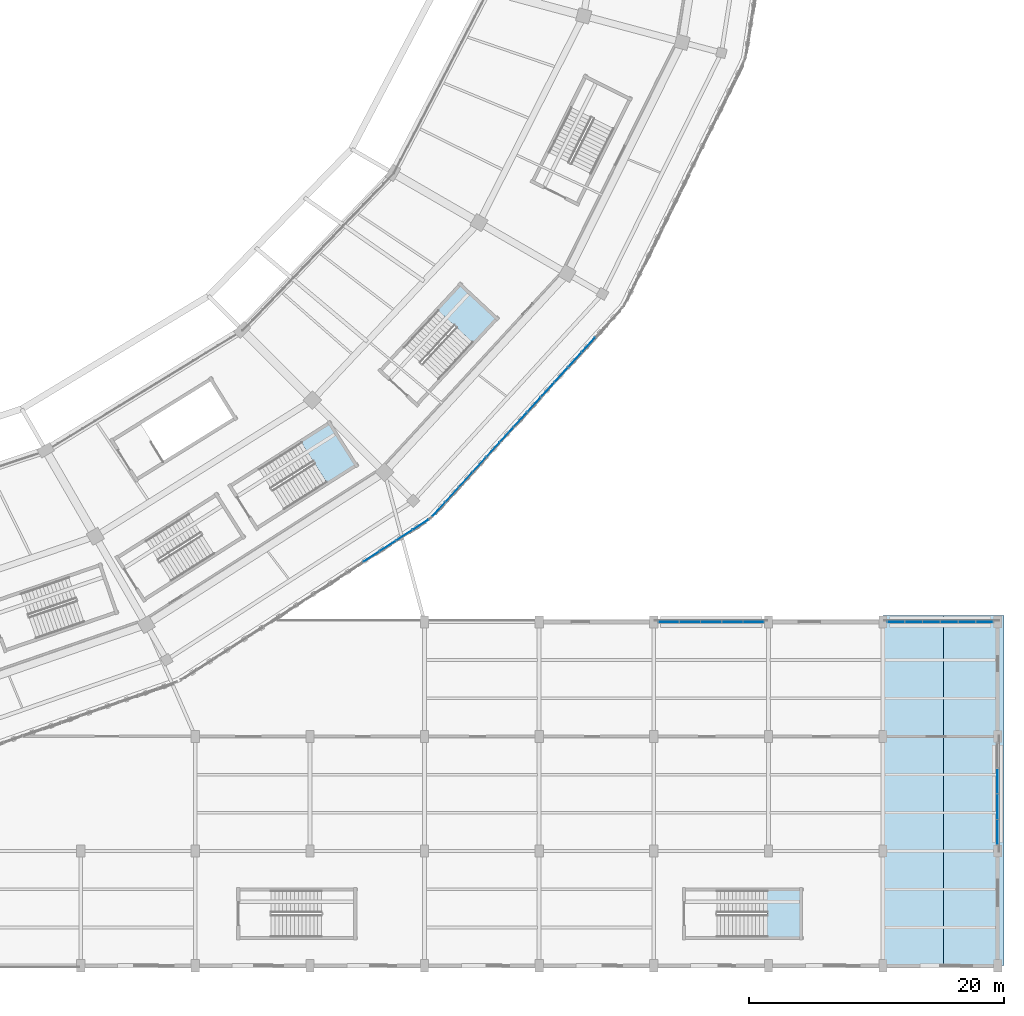
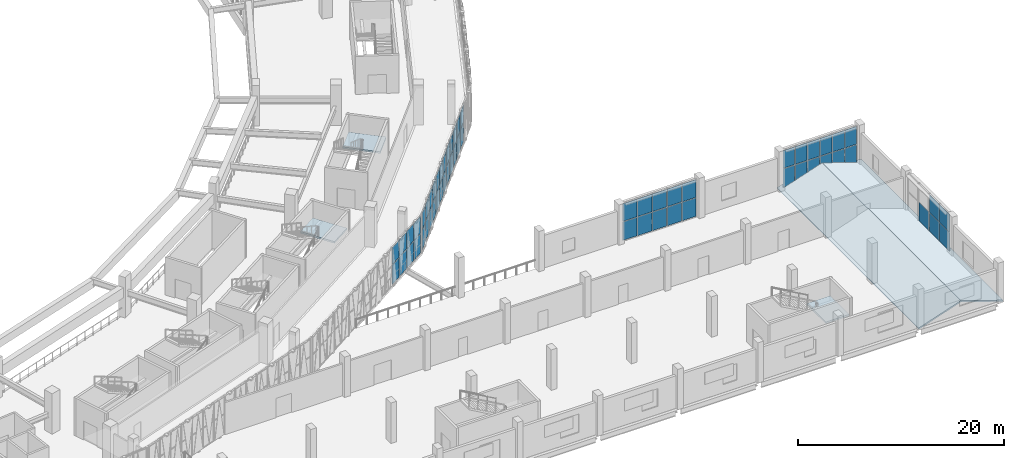
# One storey, part 85 of 179: 59 plates, 5 slabs, 8 elements without a shape of their own.
"""IFC4 building model written with IfcOpenShell, lengths in metres."""

from ifc_helpers import new_model, si_unit, direction, frame, origin, origin_2d, place, context, subcontext, project, spatial, polyline, rectangle, outline, extrude, material, layer, layer_set, type_object, element, aggregate, save


model = new_model("IFC4")

# Units and contexts
model_context = context("Model", 3, precision=1e-05, world=origin(), true_north=direction((0.0, 1.0)))
body_context = subcontext(model_context, "Body", "Model", "MODEL_VIEW")
ifc_project = project(units=[si_unit("LENGTHUNIT", "METRE"), si_unit("AREAUNIT", "SQUARE_METRE"), si_unit("VOLUMEUNIT", "CUBIC_METRE"), si_unit("PLANEANGLEUNIT", "RADIAN"), si_unit("MASSUNIT", "GRAM", prefix="KILO")], contexts=[model_context])

# Site, building, storey
site_placement = place(None, origin())
site = spatial("IfcSite", under=ifc_project, at=site_placement, CompositionType="ELEMENT")
building_placement = place(site_placement, origin())
building = spatial("IfcBuilding", under=site, at=building_placement, Name="Zevraka Park Crest Stadium", CompositionType="ELEMENT")
storey_placement = place(building_placement, frame((0.0, 0.0, 10.199951171875)))
storey = spatial("IfcBuildingStorey", under=building, at=storey_placement, Name="L02", CompositionType="ELEMENT", Elevation=10.199951171875)

# Curtain wall, plates
ifc_material_1 = material(Name="Anodised architectural aluminium and laminated safety glass", Category="aluminium")
curtain_wall_type_1 = type_object("IfcCurtainWallType", Name="CW08", PredefinedType="NOTDEFINED", material=ifc_material_1)
curtain_wall_1_placement = place(storey_placement, origin())
curtain_wall_1 = element("IfcCurtainWall", 1, at=curtain_wall_1_placement, inside=storey, type_object=curtain_wall_type_1, Name="Unitised Ring Curtain Wall CW08 L02-20", PredefinedType="NOTDEFINED")
ifc_material_2 = material(Name="Solar-control laminated double glazing", Category="glass")
ifc_layer_1 = layer(ifc_material_2, 0.028076171875)
ifc_layer_set_1 = layer_set([ifc_layer_1], Name="Solar-control laminated double glazing")
plate_type_1 = type_object("IfcPlateType", Name="CP08", PredefinedType="CURTAIN_PANEL", material=ifc_layer_set_1)
plate_1_placement = place(storey_placement, frame((174.8076171875, 32.119384765625, 0.06494140625), z_axis=(0.0, 0.0, 1.0), x_axis=(0.839670424967, 0.543096287444, 0.0)))
plate_1 = element("IfcPlate", 2, at=plate_1_placement, type_object=plate_type_1, Name="CW08 panel 12.1", PredefinedType="CURTAIN_PANEL", context=body_context, shape_type="SweptSolid", body=[
    extrude(rectangle(XDim=1.48681640625, YDim=0.028076171875, at=origin_2d()), origin(), (0.0, 0.0, 1.0), 2.302490234375),
])
plate_2_placement = place(storey_placement, frame((174.8076171875, 32.119384765625, 2.4326171875), z_axis=(0.0, 0.0, 1.0), x_axis=(0.839670424967, 0.543096287444, 0.0)))
plate_2 = element("IfcPlate", 3, at=plate_2_placement, type_object=plate_type_1, Name="CW08 panel 12.2", PredefinedType="CURTAIN_PANEL", context=body_context, shape_type="SweptSolid", body=[
    extrude(rectangle(XDim=1.48681640625, YDim=0.028076171875, at=origin_2d()), origin(), (0.0, 0.0, 1.0), 2.00244140625),
])
plate_3_placement = place(storey_placement, frame((176.110595703125, 32.962158203125, 0.06494140625), z_axis=(0.0, 0.0, 1.0), x_axis=(0.839670424967, 0.543096287444, 0.0)))
plate_3 = element("IfcPlate", 4, at=plate_3_placement, type_object=plate_type_1, Name="CW08 panel 13.1", PredefinedType="CURTAIN_PANEL", context=body_context, shape_type="SweptSolid", body=[
    extrude(rectangle(XDim=1.48681640625, YDim=0.028076171875, at=origin_2d()), origin(), (0.0, 0.0, 1.0), 2.302490234375),
])
plate_4_placement = place(storey_placement, frame((176.110595703125, 32.962158203125, 2.4326171875), z_axis=(0.0, 0.0, 1.0), x_axis=(0.839670424967, 0.543096287444, 0.0)))
plate_4 = element("IfcPlate", 5, at=plate_4_placement, type_object=plate_type_1, Name="CW08 panel 13.2", PredefinedType="CURTAIN_PANEL", context=body_context, shape_type="SweptSolid", body=[
    extrude(rectangle(XDim=1.48681640625, YDim=0.028076171875, at=origin_2d()), origin(), (0.0, 0.0, 1.0), 2.00244140625),
])
plate_5_placement = place(storey_placement, frame((177.41357421875, 33.804931640625, 0.06494140625), z_axis=(0.0, 0.0, 1.0), x_axis=(0.839670424967, 0.543096287444, 0.0)))
plate_5 = element("IfcPlate", 6, at=plate_5_placement, type_object=plate_type_1, Name="CW08 panel 14.1", PredefinedType="CURTAIN_PANEL", context=body_context, shape_type="SweptSolid", body=[
    extrude(rectangle(XDim=1.48681640625, YDim=0.028076171875, at=origin_2d()), origin(), (0.0, 0.0, 1.0), 2.302490234375),
])
plate_6_placement = place(storey_placement, frame((177.41357421875, 33.804931640625, 2.4326171875), z_axis=(0.0, 0.0, 1.0), x_axis=(0.839670424967, 0.543096287444, 0.0)))
plate_6 = element("IfcPlate", 7, at=plate_6_placement, type_object=plate_type_1, Name="CW08 panel 14.2", PredefinedType="CURTAIN_PANEL", context=body_context, shape_type="SweptSolid", body=[
    extrude(rectangle(XDim=1.48681640625, YDim=0.028076171875, at=origin_2d()), origin(), (0.0, 0.0, 1.0), 2.00244140625),
])
plate_7_placement = place(storey_placement, frame((178.702880859375, 34.638916015625, 0.06494140625), z_axis=(0.0, 0.0, 1.0), x_axis=(0.839670424967, 0.543096287444, 0.0)))
plate_7 = element("IfcPlate", 8, at=plate_7_placement, type_object=plate_type_1, Name="CW08 panel 15.1", PredefinedType="CURTAIN_PANEL", context=body_context, shape_type="SweptSolid", body=[
    extrude(rectangle(XDim=1.4541015625, YDim=0.028076171875, at=origin_2d()), origin(), (0.0, 0.0, 1.0), 2.302490234375),
])
plate_8_placement = place(storey_placement, frame((178.702880859375, 34.638916015625, 2.4326171875), z_axis=(0.0, 0.0, 1.0), x_axis=(0.839670424967, 0.543096287444, 0.0)))
plate_8 = element("IfcPlate", 9, at=plate_8_placement, type_object=plate_type_1, Name="CW08 panel 15.2", PredefinedType="CURTAIN_PANEL", context=body_context, shape_type="SweptSolid", body=[
    extrude(rectangle(XDim=1.4541015625, YDim=0.028076171875, at=origin_2d()), origin(), (0.0, 0.0, 1.0), 2.00244140625),
])
aggregate(curtain_wall_1, [plate_1, plate_2, plate_3, plate_4, plate_5, plate_6, plate_7, plate_8])

curtain_wall_2_placement = place(storey_placement, origin())
curtain_wall_2 = element("IfcCurtainWall", 10, at=curtain_wall_2_placement, inside=storey, type_object=curtain_wall_type_1, Name="Unitised Ring Curtain Wall CW08 L02-21", PredefinedType="NOTDEFINED")
plate_9_placement = place(storey_placement, frame((180.110107421875, 35.8349609375, 0.06494140625), z_axis=(0.0, 0.0, 1.0), x_axis=(0.673159987494, 0.739496877097, 0.0)))
plate_9 = element("IfcPlate", 11, at=plate_9_placement, type_object=plate_type_1, Name="CW08 panel 1.1", PredefinedType="CURTAIN_PANEL", context=body_context, shape_type="SweptSolid", body=[
    extrude(rectangle(XDim=1.492919921875, YDim=0.028076171875, at=origin_2d()), origin(), (0.0, 0.0, 1.0), 2.302490234375),
])
plate_10_placement = place(storey_placement, frame((180.110107421875, 35.8349609375, 2.4326171875), z_axis=(0.0, 0.0, 1.0), x_axis=(0.673159987494, 0.739496877097, 0.0)))
plate_10 = element("IfcPlate", 12, at=plate_10_placement, type_object=plate_type_1, Name="CW08 panel 1.2", PredefinedType="CURTAIN_PANEL", context=body_context, shape_type="SweptSolid", body=[
    extrude(rectangle(XDim=1.492919921875, YDim=0.028076171875, at=origin_2d()), origin(), (0.0, 0.0, 1.0), 2.00244140625),
])
plate_11_placement = place(storey_placement, frame((181.169921875, 36.9990234375, 0.06494140625), z_axis=(0.0, 0.0, 1.0), x_axis=(0.673159987494, 0.739496877097, 0.0)))
plate_11 = element("IfcPlate", 13, at=plate_11_placement, type_object=plate_type_1, Name="CW08 panel 2.1", PredefinedType="CURTAIN_PANEL", context=body_context, shape_type="SweptSolid", body=[
    extrude(rectangle(XDim=1.525390625, YDim=0.028076171875, at=origin_2d()), origin(), (0.0, 0.0, 1.0), 2.302490234375),
])
plate_12_placement = place(storey_placement, frame((181.169921875, 36.9990234375, 2.4326171875), z_axis=(0.0, 0.0, 1.0), x_axis=(0.673159987494, 0.739496877097, 0.0)))
plate_12 = element("IfcPlate", 14, at=plate_12_placement, type_object=plate_type_1, Name="CW08 panel 2.2", PredefinedType="CURTAIN_PANEL", context=body_context, shape_type="SweptSolid", body=[
    extrude(rectangle(XDim=1.525390625, YDim=0.028076171875, at=origin_2d()), origin(), (0.0, 0.0, 1.0), 2.00244140625),
])
plate_13_placement = place(storey_placement, frame((182.240478515625, 38.17529296875, 0.06494140625), z_axis=(0.0, 0.0, 1.0), x_axis=(0.673159987494, 0.739496877097, 0.0)))
plate_13 = element("IfcPlate", 15, at=plate_13_placement, type_object=plate_type_1, Name="CW08 panel 3.1", PredefinedType="CURTAIN_PANEL", context=body_context, shape_type="SweptSolid", body=[
    extrude(rectangle(XDim=1.525390625, YDim=0.028076171875, at=origin_2d()), origin(), (0.0, 0.0, 1.0), 2.302490234375),
])
plate_14_placement = place(storey_placement, frame((182.240478515625, 38.17529296875, 2.4326171875), z_axis=(0.0, 0.0, 1.0), x_axis=(0.673159987494, 0.739496877097, 0.0)))
plate_14 = element("IfcPlate", 16, at=plate_14_placement, type_object=plate_type_1, Name="CW08 panel 3.2", PredefinedType="CURTAIN_PANEL", context=body_context, shape_type="SweptSolid", body=[
    extrude(rectangle(XDim=1.525390625, YDim=0.028076171875, at=origin_2d()), origin(), (0.0, 0.0, 1.0), 2.00244140625),
])
plate_15_placement = place(storey_placement, frame((183.31103515625, 39.351318359375, 0.06494140625), z_axis=(0.0, 0.0, 1.0), x_axis=(0.673159987494, 0.739496877097, 0.0)))
plate_15 = element("IfcPlate", 17, at=plate_15_placement, type_object=plate_type_1, Name="CW08 panel 4.1", PredefinedType="CURTAIN_PANEL", context=body_context, shape_type="SweptSolid", body=[
    extrude(rectangle(XDim=1.525390625, YDim=0.028076171875, at=origin_2d()), origin(), (0.0, 0.0, 1.0), 2.302490234375),
])
plate_16_placement = place(storey_placement, frame((183.31103515625, 39.351318359375, 2.4326171875), z_axis=(0.0, 0.0, 1.0), x_axis=(0.673159987494, 0.739496877097, 0.0)))
plate_16 = element("IfcPlate", 18, at=plate_16_placement, type_object=plate_type_1, Name="CW08 panel 4.2", PredefinedType="CURTAIN_PANEL", context=body_context, shape_type="SweptSolid", body=[
    extrude(rectangle(XDim=1.525390625, YDim=0.028076171875, at=origin_2d()), origin(), (0.0, 0.0, 1.0), 2.00244140625),
])
plate_17_placement = place(storey_placement, frame((184.381591796875, 40.52734375, 0.06494140625), z_axis=(0.0, 0.0, 1.0), x_axis=(0.673159987494, 0.739496877097, 0.0)))
plate_17 = element("IfcPlate", 19, at=plate_17_placement, type_object=plate_type_1, Name="CW08 panel 5.1", PredefinedType="CURTAIN_PANEL", context=body_context, shape_type="SweptSolid", body=[
    extrude(rectangle(XDim=1.525390625, YDim=0.028076171875, at=origin_2d()), origin(), (0.0, 0.0, 1.0), 2.302490234375),
])
plate_18_placement = place(storey_placement, frame((184.381591796875, 40.52734375, 2.4326171875), z_axis=(0.0, 0.0, 1.0), x_axis=(0.673159987494, 0.739496877097, 0.0)))
plate_18 = element("IfcPlate", 20, at=plate_18_placement, type_object=plate_type_1, Name="CW08 panel 5.2", PredefinedType="CURTAIN_PANEL", context=body_context, shape_type="SweptSolid", body=[
    extrude(rectangle(XDim=1.525390625, YDim=0.028076171875, at=origin_2d()), origin(), (0.0, 0.0, 1.0), 2.00244140625),
])
plate_19_placement = place(storey_placement, frame((185.4521484375, 41.703369140625, 0.06494140625), z_axis=(0.0, 0.0, 1.0), x_axis=(0.673159987494, 0.739496877097, 0.0)))
plate_19 = element("IfcPlate", 21, at=plate_19_placement, type_object=plate_type_1, Name="CW08 panel 6.1", PredefinedType="CURTAIN_PANEL", context=body_context, shape_type="SweptSolid", body=[
    extrude(rectangle(XDim=1.525390625, YDim=0.028076171875, at=origin_2d()), origin(), (0.0, 0.0, 1.0), 2.302490234375),
])
plate_20_placement = place(storey_placement, frame((185.4521484375, 41.703369140625, 2.4326171875), z_axis=(0.0, 0.0, 1.0), x_axis=(0.673159987494, 0.739496877097, 0.0)))
plate_20 = element("IfcPlate", 22, at=plate_20_placement, type_object=plate_type_1, Name="CW08 panel 6.2", PredefinedType="CURTAIN_PANEL", context=body_context, shape_type="SweptSolid", body=[
    extrude(rectangle(XDim=1.525390625, YDim=0.028076171875, at=origin_2d()), origin(), (0.0, 0.0, 1.0), 2.00244140625),
])
plate_21_placement = place(storey_placement, frame((186.522705078125, 42.87939453125, 0.06494140625), z_axis=(0.0, 0.0, 1.0), x_axis=(0.673159987494, 0.739496877097, 0.0)))
plate_21 = element("IfcPlate", 23, at=plate_21_placement, type_object=plate_type_1, Name="CW08 panel 7.1", PredefinedType="CURTAIN_PANEL", context=body_context, shape_type="SweptSolid", body=[
    extrude(rectangle(XDim=1.525390625, YDim=0.028076171875, at=origin_2d()), origin(), (0.0, 0.0, 1.0), 2.302490234375),
])
plate_22_placement = place(storey_placement, frame((186.522705078125, 42.87939453125, 2.4326171875), z_axis=(0.0, 0.0, 1.0), x_axis=(0.673159987494, 0.739496877097, 0.0)))
plate_22 = element("IfcPlate", 24, at=plate_22_placement, type_object=plate_type_1, Name="CW08 panel 7.2", PredefinedType="CURTAIN_PANEL", context=body_context, shape_type="SweptSolid", body=[
    extrude(rectangle(XDim=1.525390625, YDim=0.028076171875, at=origin_2d()), origin(), (0.0, 0.0, 1.0), 2.00244140625),
])
plate_23_placement = place(storey_placement, frame((187.59326171875, 44.055419921875, 0.06494140625), z_axis=(0.0, 0.0, 1.0), x_axis=(0.673159987494, 0.739496877097, 0.0)))
plate_23 = element("IfcPlate", 25, at=plate_23_placement, type_object=plate_type_1, Name="CW08 panel 8.1", PredefinedType="CURTAIN_PANEL", context=body_context, shape_type="SweptSolid", body=[
    extrude(rectangle(XDim=1.525390625, YDim=0.028076171875, at=origin_2d()), origin(), (0.0, 0.0, 1.0), 2.302490234375),
])
plate_24_placement = place(storey_placement, frame((187.59326171875, 44.055419921875, 2.4326171875), z_axis=(0.0, 0.0, 1.0), x_axis=(0.673159987494, 0.739496877097, 0.0)))
plate_24 = element("IfcPlate", 26, at=plate_24_placement, type_object=plate_type_1, Name="CW08 panel 8.2", PredefinedType="CURTAIN_PANEL", context=body_context, shape_type="SweptSolid", body=[
    extrude(rectangle(XDim=1.525390625, YDim=0.028076171875, at=origin_2d()), origin(), (0.0, 0.0, 1.0), 2.00244140625),
])
plate_25_placement = place(storey_placement, frame((188.663818359375, 45.231689453125, 0.06494140625), z_axis=(0.0, 0.0, 1.0), x_axis=(0.673159987494, 0.739496877097, 0.0)))
plate_25 = element("IfcPlate", 27, at=plate_25_placement, type_object=plate_type_1, Name="CW08 panel 9.1", PredefinedType="CURTAIN_PANEL", context=body_context, shape_type="SweptSolid", body=[
    extrude(rectangle(XDim=1.525390625, YDim=0.028076171875, at=origin_2d()), origin(), (0.0, 0.0, 1.0), 2.302490234375),
])
plate_26_placement = place(storey_placement, frame((188.663818359375, 45.231689453125, 2.4326171875), z_axis=(0.0, 0.0, 1.0), x_axis=(0.673159987494, 0.739496877097, 0.0)))
plate_26 = element("IfcPlate", 28, at=plate_26_placement, type_object=plate_type_1, Name="CW08 panel 9.2", PredefinedType="CURTAIN_PANEL", context=body_context, shape_type="SweptSolid", body=[
    extrude(rectangle(XDim=1.525390625, YDim=0.028076171875, at=origin_2d()), origin(), (0.0, 0.0, 1.0), 2.00244140625),
])
plate_27_placement = place(storey_placement, frame((189.734375, 46.40771484375, 0.06494140625), z_axis=(0.0, 0.0, 1.0), x_axis=(0.673159987494, 0.739496877097, 0.0)))
plate_27 = element("IfcPlate", 29, at=plate_27_placement, type_object=plate_type_1, Name="CW08 panel 10.1", PredefinedType="CURTAIN_PANEL", context=body_context, shape_type="SweptSolid", body=[
    extrude(rectangle(XDim=1.525390625, YDim=0.028076171875, at=origin_2d()), origin(), (0.0, 0.0, 1.0), 2.302490234375),
])
plate_28_placement = place(storey_placement, frame((189.734375, 46.40771484375, 2.4326171875), z_axis=(0.0, 0.0, 1.0), x_axis=(0.673159987494, 0.739496877097, 0.0)))
plate_28 = element("IfcPlate", 30, at=plate_28_placement, type_object=plate_type_1, Name="CW08 panel 10.2", PredefinedType="CURTAIN_PANEL", context=body_context, shape_type="SweptSolid", body=[
    extrude(rectangle(XDim=1.525390625, YDim=0.028076171875, at=origin_2d()), origin(), (0.0, 0.0, 1.0), 2.00244140625),
])
plate_29_placement = place(storey_placement, frame((190.804931640625, 47.583740234375, 0.06494140625), z_axis=(0.0, 0.0, 1.0), x_axis=(0.673159987494, 0.739496877097, 0.0)))
plate_29 = element("IfcPlate", 31, at=plate_29_placement, type_object=plate_type_1, Name="CW08 panel 11.1", PredefinedType="CURTAIN_PANEL", context=body_context, shape_type="SweptSolid", body=[
    extrude(rectangle(XDim=1.525390625, YDim=0.028076171875, at=origin_2d()), origin(), (0.0, 0.0, 1.0), 2.302490234375),
])
plate_30_placement = place(storey_placement, frame((190.804931640625, 47.583740234375, 2.4326171875), z_axis=(0.0, 0.0, 1.0), x_axis=(0.673159987494, 0.739496877097, 0.0)))
plate_30 = element("IfcPlate", 32, at=plate_30_placement, type_object=plate_type_1, Name="CW08 panel 11.2", PredefinedType="CURTAIN_PANEL", context=body_context, shape_type="SweptSolid", body=[
    extrude(rectangle(XDim=1.525390625, YDim=0.028076171875, at=origin_2d()), origin(), (0.0, 0.0, 1.0), 2.00244140625),
])
plate_31_placement = place(storey_placement, frame((191.87548828125, 48.759765625, 0.06494140625), z_axis=(0.0, 0.0, 1.0), x_axis=(0.673159987494, 0.739496877097, 0.0)))
plate_31 = element("IfcPlate", 33, at=plate_31_placement, type_object=plate_type_1, Name="CW08 panel 12.1", PredefinedType="CURTAIN_PANEL", context=body_context, shape_type="SweptSolid", body=[
    extrude(rectangle(XDim=1.525390625, YDim=0.028076171875, at=origin_2d()), origin(), (0.0, 0.0, 1.0), 2.302490234375),
])
plate_32_placement = place(storey_placement, frame((191.87548828125, 48.759765625, 2.4326171875), z_axis=(0.0, 0.0, 1.0), x_axis=(0.673159987494, 0.739496877097, 0.0)))
plate_32 = element("IfcPlate", 34, at=plate_32_placement, type_object=plate_type_1, Name="CW08 panel 12.2", PredefinedType="CURTAIN_PANEL", context=body_context, shape_type="SweptSolid", body=[
    extrude(rectangle(XDim=1.525390625, YDim=0.028076171875, at=origin_2d()), origin(), (0.0, 0.0, 1.0), 2.00244140625),
])
aggregate(curtain_wall_2, [plate_9, plate_10, plate_11, plate_12, plate_13, plate_14, plate_15, plate_16, plate_17, plate_18, plate_19, plate_20, plate_21, plate_22, plate_23, plate_24, plate_25, plate_26, plate_27, plate_28, plate_29, plate_30, plate_31, plate_32])

ifc_material_3 = material(Name="Anodised architectural aluminium and laminated safety glass", Category="aluminium")
curtain_wall_type_2 = type_object("IfcCurtainWallType", Name="CW26", PredefinedType="NOTDEFINED", material=ifc_material_3)
curtain_wall_3_placement = place(storey_placement, origin())
curtain_wall_3 = element("IfcCurtainWall", 35, at=curtain_wall_3_placement, inside=storey, type_object=curtain_wall_type_2, Name="Wing Curtain Wall CW26 L02-SE-N-4", PredefinedType="NOTDEFINED")
ifc_material_4 = material(Name="Solar-control laminated double glazing", Category="glass")
ifc_layer_2 = layer(ifc_material_4, 0.035888671875)
ifc_layer_set_2 = layer_set([ifc_layer_2], Name="Solar-control laminated double glazing")
plate_type_2 = type_object("IfcPlateType", Name="CP26", PredefinedType="CURTAIN_PANEL", material=ifc_layer_set_2)
plate_33_placement = place(storey_placement, frame((216.02880859375, 27.0, 0.06494140625), z_axis=(0.0, 0.0, 1.0), x_axis=(1.0, 0.0, 0.0)))
plate_33 = element("IfcPlate", 36, at=plate_33_placement, type_object=plate_type_2, Name="CW26 panel 1.1", PredefinedType="CURTAIN_PANEL", context=body_context, shape_type="SweptSolid", body=[
    extrude(rectangle(XDim=1.297607421875, YDim=0.035888671875, at=origin_2d()), origin(), (0.0, 0.0, 1.0), 2.202392578125),
])
plate_34_placement = place(storey_placement, frame((216.02880859375, 27.0, 2.33251953125), z_axis=(0.0, 0.0, 1.0), x_axis=(1.0, 0.0, 0.0)))
plate_34 = element("IfcPlate", 37, at=plate_34_placement, type_object=plate_type_2, Name="CW26 panel 1.2", PredefinedType="CURTAIN_PANEL", context=body_context, shape_type="SweptSolid", body=[
    extrude(rectangle(XDim=1.297607421875, YDim=0.035888671875, at=origin_2d()), origin(), (0.0, 0.0, 1.0), 2.1025390625),
])
plate_35_placement = place(storey_placement, frame((217.407470703125, 27.0, 0.06494140625), z_axis=(0.0, 0.0, 1.0), x_axis=(1.0, 0.0, 0.0)))
plate_35 = element("IfcPlate", 38, at=plate_35_placement, type_object=plate_type_2, Name="CW26 panel 2.1", PredefinedType="CURTAIN_PANEL", context=body_context, shape_type="SweptSolid", body=[
    extrude(rectangle(XDim=1.330078125, YDim=0.035888671875, at=origin_2d()), origin(), (0.0, 0.0, 1.0), 2.202392578125),
])
plate_36_placement = place(storey_placement, frame((217.407470703125, 27.0, 2.33251953125), z_axis=(0.0, 0.0, 1.0), x_axis=(1.0, 0.0, 0.0)))
plate_36 = element("IfcPlate", 39, at=plate_36_placement, type_object=plate_type_2, Name="CW26 panel 2.2", PredefinedType="CURTAIN_PANEL", context=body_context, shape_type="SweptSolid", body=[
    extrude(rectangle(XDim=1.330078125, YDim=0.035888671875, at=origin_2d()), origin(), (0.0, 0.0, 1.0), 2.1025390625),
])
plate_37_placement = place(storey_placement, frame((218.802490234375, 27.0, 0.06494140625), z_axis=(0.0, 0.0, 1.0), x_axis=(1.0, 0.0, 0.0)))
plate_37 = element("IfcPlate", 40, at=plate_37_placement, type_object=plate_type_2, Name="CW26 panel 3.1", PredefinedType="CURTAIN_PANEL", context=body_context, shape_type="SweptSolid", body=[
    extrude(rectangle(XDim=1.330078125, YDim=0.035888671875, at=origin_2d()), origin(), (0.0, 0.0, 1.0), 2.202392578125),
])
plate_38_placement = place(storey_placement, frame((218.802490234375, 27.0, 2.33251953125), z_axis=(0.0, 0.0, 1.0), x_axis=(1.0, 0.0, 0.0)))
plate_38 = element("IfcPlate", 41, at=plate_38_placement, type_object=plate_type_2, Name="CW26 panel 3.2", PredefinedType="CURTAIN_PANEL", context=body_context, shape_type="SweptSolid", body=[
    extrude(rectangle(XDim=1.330078125, YDim=0.035888671875, at=origin_2d()), origin(), (0.0, 0.0, 1.0), 2.1025390625),
])
plate_39_placement = place(storey_placement, frame((220.197509765625, 27.0, 0.06494140625), z_axis=(0.0, 0.0, 1.0), x_axis=(1.0, 0.0, 0.0)))
plate_39 = element("IfcPlate", 42, at=plate_39_placement, type_object=plate_type_2, Name="CW26 panel 4.1", PredefinedType="CURTAIN_PANEL", context=body_context, shape_type="SweptSolid", body=[
    extrude(rectangle(XDim=1.330078125, YDim=0.035888671875, at=origin_2d()), origin(), (0.0, 0.0, 1.0), 2.202392578125),
])
plate_40_placement = place(storey_placement, frame((220.197509765625, 27.0, 2.33251953125), z_axis=(0.0, 0.0, 1.0), x_axis=(1.0, 0.0, 0.0)))
plate_40 = element("IfcPlate", 43, at=plate_40_placement, type_object=plate_type_2, Name="CW26 panel 4.2", PredefinedType="CURTAIN_PANEL", context=body_context, shape_type="SweptSolid", body=[
    extrude(rectangle(XDim=1.330078125, YDim=0.035888671875, at=origin_2d()), origin(), (0.0, 0.0, 1.0), 2.1025390625),
])
plate_41_placement = place(storey_placement, frame((221.592529296875, 27.0, 0.06494140625), z_axis=(0.0, 0.0, 1.0), x_axis=(1.0, 0.0, 0.0)))
plate_41 = element("IfcPlate", 44, at=plate_41_placement, type_object=plate_type_2, Name="CW26 panel 5.1", PredefinedType="CURTAIN_PANEL", context=body_context, shape_type="SweptSolid", body=[
    extrude(rectangle(XDim=1.330078125, YDim=0.035888671875, at=origin_2d()), origin(), (0.0, 0.0, 1.0), 2.202392578125),
])
plate_42_placement = place(storey_placement, frame((221.592529296875, 27.0, 2.33251953125), z_axis=(0.0, 0.0, 1.0), x_axis=(1.0, 0.0, 0.0)))
plate_42 = element("IfcPlate", 45, at=plate_42_placement, type_object=plate_type_2, Name="CW26 panel 5.2", PredefinedType="CURTAIN_PANEL", context=body_context, shape_type="SweptSolid", body=[
    extrude(rectangle(XDim=1.330078125, YDim=0.035888671875, at=origin_2d()), origin(), (0.0, 0.0, 1.0), 2.1025390625),
])
plate_43_placement = place(storey_placement, frame((222.97119140625, 27.0, 0.06494140625), z_axis=(0.0, 0.0, 1.0), x_axis=(1.0, 0.0, 0.0)))
plate_43 = element("IfcPlate", 46, at=plate_43_placement, type_object=plate_type_2, Name="CW26 panel 6.1", PredefinedType="CURTAIN_PANEL", context=body_context, shape_type="SweptSolid", body=[
    extrude(rectangle(XDim=1.297607421875, YDim=0.035888671875, at=origin_2d()), origin(), (0.0, 0.0, 1.0), 2.202392578125),
])
plate_44_placement = place(storey_placement, frame((222.97119140625, 27.0, 2.33251953125), z_axis=(0.0, 0.0, 1.0), x_axis=(1.0, 0.0, 0.0)))
plate_44 = element("IfcPlate", 47, at=plate_44_placement, type_object=plate_type_2, Name="CW26 panel 6.2", PredefinedType="CURTAIN_PANEL", context=body_context, shape_type="SweptSolid", body=[
    extrude(rectangle(XDim=1.297607421875, YDim=0.035888671875, at=origin_2d()), origin(), (0.0, 0.0, 1.0), 2.1025390625),
])
aggregate(curtain_wall_3, [plate_33, plate_34, plate_35, plate_36, plate_37, plate_38, plate_39, plate_40, plate_41, plate_42, plate_43, plate_44])

ifc_material_5 = material(Name="Anodised architectural aluminium and laminated safety glass", Category="aluminium")
curtain_wall_type_3 = type_object("IfcCurtainWallType", Name="CW29", PredefinedType="NOTDEFINED", material=ifc_material_5)
curtain_wall_4_placement = place(storey_placement, origin())
curtain_wall_4 = element("IfcCurtainWall", 48, at=curtain_wall_4_placement, inside=storey, type_object=curtain_wall_type_3, Name="Wing Curtain Wall CW29 L02-SE-E-2", PredefinedType="NOTDEFINED")
ifc_material_6 = material(Name="Solar-control laminated double glazing", Category="glass")
ifc_layer_3 = layer(ifc_material_6, 0.035888671875)
ifc_layer_set_3 = layer_set([ifc_layer_3], Name="Solar-control laminated double glazing")
plate_type_3 = type_object("IfcPlateType", Name="CP29", PredefinedType="CURTAIN_PANEL", material=ifc_layer_set_3)
plate_45_placement = place(storey_placement, frame((224.0, 14.5087890625, 0.06494140625), z_axis=(0.0, 0.0, 1.0), x_axis=(0.0, -1.0, 0.0)))
plate_45 = element("IfcPlate", 49, at=plate_45_placement, type_object=plate_type_3, Name="CW29 panel 2.1", PredefinedType="CURTAIN_PANEL", context=body_context, shape_type="SweptSolid", body=[
    extrude(rectangle(XDim=1.952392578125, YDim=0.035888671875, at=origin_2d()), origin(), (0.0, 0.0, 1.0), 2.202392578125),
])
plate_46_placement = place(storey_placement, frame((224.0, 12.4912109375, 0.06494140625), z_axis=(0.0, 0.0, 1.0), x_axis=(0.0, -1.0, 0.0)))
plate_46 = element("IfcPlate", 50, at=plate_46_placement, type_object=plate_type_3, Name="CW29 panel 3.1", PredefinedType="CURTAIN_PANEL", context=body_context, shape_type="SweptSolid", body=[
    extrude(rectangle(XDim=1.952392578125, YDim=0.035888671875, at=origin_2d()), origin(), (0.0, 0.0, 1.0), 2.202392578125),
])
plate_47_placement = place(storey_placement, frame((224.0, 12.4912109375, 2.33251953125), z_axis=(0.0, 0.0, 1.0), x_axis=(0.0, -1.0, 0.0)))
plate_47 = element("IfcPlate", 51, at=plate_47_placement, type_object=plate_type_3, Name="CW29 panel 3.2", PredefinedType="CURTAIN_PANEL", context=body_context, shape_type="SweptSolid", body=[
    extrude(rectangle(XDim=1.952392578125, YDim=0.035888671875, at=origin_2d()), origin(), (0.0, 0.0, 1.0), 2.1025390625),
])
plate_48_placement = place(storey_placement, frame((224.0, 10.489990234375, 0.06494140625), z_axis=(0.0, 0.0, 1.0), x_axis=(0.0, -1.0, 0.0)))
plate_48 = element("IfcPlate", 52, at=plate_48_placement, type_object=plate_type_3, Name="CW29 panel 4.1", PredefinedType="CURTAIN_PANEL", context=body_context, shape_type="SweptSolid", body=[
    extrude(rectangle(XDim=1.919921875, YDim=0.035888671875, at=origin_2d()), origin(), (0.0, 0.0, 1.0), 2.202392578125),
])
plate_49_placement = place(storey_placement, frame((224.0, 10.489990234375, 2.33251953125), z_axis=(0.0, 0.0, 1.0), x_axis=(0.0, -1.0, 0.0)))
plate_49 = element("IfcPlate", 53, at=plate_49_placement, type_object=plate_type_3, Name="CW29 panel 4.2", PredefinedType="CURTAIN_PANEL", context=body_context, shape_type="SweptSolid", body=[
    extrude(rectangle(XDim=1.919921875, YDim=0.035888671875, at=origin_2d()), origin(), (0.0, 0.0, 1.0), 2.1025390625),
])
aggregate(curtain_wall_4, [plate_45, plate_46, plate_47, plate_48, plate_49])

curtain_wall_5_placement = place(storey_placement, origin())
curtain_wall_5 = element("IfcCurtainWall", 54, at=curtain_wall_5_placement, inside=storey, type_object=curtain_wall_type_3, Name="Wing Curtain Wall CW29 L02-SE-N-2", PredefinedType="NOTDEFINED")
plate_50_placement = place(storey_placement, frame((198.168212890625, 27.0, 0.06494140625), z_axis=(0.0, 0.0, 1.0), x_axis=(1.0, 0.0, 0.0)))
plate_50 = element("IfcPlate", 55, at=plate_50_placement, type_object=plate_type_3, Name="CW29 panel 1.1", PredefinedType="CURTAIN_PANEL", context=body_context, shape_type="SweptSolid", body=[
    extrude(rectangle(XDim=1.576416015625, YDim=0.035888671875, at=origin_2d()), origin(), (0.0, 0.0, 1.0), 2.202392578125),
])
plate_51_placement = place(storey_placement, frame((198.168212890625, 27.0, 2.33251953125), z_axis=(0.0, 0.0, 1.0), x_axis=(1.0, 0.0, 0.0)))
plate_51 = element("IfcPlate", 56, at=plate_51_placement, type_object=plate_type_3, Name="CW29 panel 1.2", PredefinedType="CURTAIN_PANEL", context=body_context, shape_type="SweptSolid", body=[
    extrude(rectangle(XDim=1.576416015625, YDim=0.035888671875, at=origin_2d()), origin(), (0.0, 0.0, 1.0), 2.1025390625),
])
plate_52_placement = place(storey_placement, frame((199.825927734375, 27.0, 0.06494140625), z_axis=(0.0, 0.0, 1.0), x_axis=(1.0, 0.0, 0.0)))
plate_52 = element("IfcPlate", 57, at=plate_52_placement, type_object=plate_type_3, Name="CW29 panel 2.1", PredefinedType="CURTAIN_PANEL", context=body_context, shape_type="SweptSolid", body=[
    extrude(rectangle(XDim=1.60888671875, YDim=0.035888671875, at=origin_2d()), origin(), (0.0, 0.0, 1.0), 2.202392578125),
])
plate_53_placement = place(storey_placement, frame((199.825927734375, 27.0, 2.33251953125), z_axis=(0.0, 0.0, 1.0), x_axis=(1.0, 0.0, 0.0)))
plate_53 = element("IfcPlate", 58, at=plate_53_placement, type_object=plate_type_3, Name="CW29 panel 2.2", PredefinedType="CURTAIN_PANEL", context=body_context, shape_type="SweptSolid", body=[
    extrude(rectangle(XDim=1.60888671875, YDim=0.035888671875, at=origin_2d()), origin(), (0.0, 0.0, 1.0), 2.1025390625),
])
plate_54_placement = place(storey_placement, frame((201.5, 27.0, 0.06494140625), z_axis=(0.0, 0.0, 1.0), x_axis=(1.0, 0.0, 0.0)))
plate_54 = element("IfcPlate", 59, at=plate_54_placement, type_object=plate_type_3, Name="CW29 panel 3.1", PredefinedType="CURTAIN_PANEL", context=body_context, shape_type="SweptSolid", body=[
    extrude(rectangle(XDim=1.60888671875, YDim=0.035888671875, at=origin_2d()), origin(), (0.0, 0.0, 1.0), 2.202392578125),
])
plate_55_placement = place(storey_placement, frame((201.5, 27.0, 2.33251953125), z_axis=(0.0, 0.0, 1.0), x_axis=(1.0, 0.0, 0.0)))
plate_55 = element("IfcPlate", 60, at=plate_55_placement, type_object=plate_type_3, Name="CW29 panel 3.2", PredefinedType="CURTAIN_PANEL", context=body_context, shape_type="SweptSolid", body=[
    extrude(rectangle(XDim=1.60888671875, YDim=0.035888671875, at=origin_2d()), origin(), (0.0, 0.0, 1.0), 2.1025390625),
])
plate_56_placement = place(storey_placement, frame((203.174072265625, 27.0, 0.06494140625), z_axis=(0.0, 0.0, 1.0), x_axis=(1.0, 0.0, 0.0)))
plate_56 = element("IfcPlate", 61, at=plate_56_placement, type_object=plate_type_3, Name="CW29 panel 4.1", PredefinedType="CURTAIN_PANEL", context=body_context, shape_type="SweptSolid", body=[
    extrude(rectangle(XDim=1.60888671875, YDim=0.035888671875, at=origin_2d()), origin(), (0.0, 0.0, 1.0), 2.202392578125),
])
plate_57_placement = place(storey_placement, frame((203.174072265625, 27.0, 2.33251953125), z_axis=(0.0, 0.0, 1.0), x_axis=(1.0, 0.0, 0.0)))
plate_57 = element("IfcPlate", 62, at=plate_57_placement, type_object=plate_type_3, Name="CW29 panel 4.2", PredefinedType="CURTAIN_PANEL", context=body_context, shape_type="SweptSolid", body=[
    extrude(rectangle(XDim=1.60888671875, YDim=0.035888671875, at=origin_2d()), origin(), (0.0, 0.0, 1.0), 2.1025390625),
])
plate_58_placement = place(storey_placement, frame((204.831787109375, 27.0, 0.06494140625), z_axis=(0.0, 0.0, 1.0), x_axis=(1.0, 0.0, 0.0)))
plate_58 = element("IfcPlate", 63, at=plate_58_placement, type_object=plate_type_3, Name="CW29 panel 5.1", PredefinedType="CURTAIN_PANEL", context=body_context, shape_type="SweptSolid", body=[
    extrude(rectangle(XDim=1.576416015625, YDim=0.035888671875, at=origin_2d()), origin(), (0.0, 0.0, 1.0), 2.202392578125),
])
plate_59_placement = place(storey_placement, frame((204.831787109375, 27.0, 2.33251953125), z_axis=(0.0, 0.0, 1.0), x_axis=(1.0, 0.0, 0.0)))
plate_59 = element("IfcPlate", 64, at=plate_59_placement, type_object=plate_type_3, Name="CW29 panel 5.2", PredefinedType="CURTAIN_PANEL", context=body_context, shape_type="SweptSolid", body=[
    extrude(rectangle(XDim=1.576416015625, YDim=0.035888671875, at=origin_2d()), origin(), (0.0, 0.0, 1.0), 2.1025390625),
])
aggregate(curtain_wall_5, [plate_50, plate_51, plate_52, plate_53, plate_54, plate_55, plate_56, plate_57, plate_58, plate_59])

# Stair, slab
ifc_material_7 = material(Name="Concrete C35/45", Category="concrete")
stair_type_1 = type_object("IfcStairType", Name="STA2", PredefinedType="HALF_TURN_STAIR", material=ifc_material_7)
stair_1_placement = place(storey_placement, origin())
stair_1 = element("IfcStair", 65, at=stair_1_placement, inside=storey, type_object=stair_type_1, Name="L02 Protected Concourse Exit Stair ST22", PredefinedType="HALF_TURN_STAIR")
ifc_material_8 = material(Name="Concrete C35/45", Category="concrete")
ifc_layer_4 = layer(ifc_material_8, 0.199951171875)
ifc_layer_set_4 = layer_set([ifc_layer_4], Name="Concrete C35/45")
slab_type_1 = type_object("IfcSlabType", Name="LS01", PredefinedType="LANDING", material=ifc_layer_set_4)
slab_1_placement = place(storey_placement, frame((0.0, 0.0, 2.199951171875)))
slab_1 = element("IfcSlab", 66, at=slab_1_placement, type_object=slab_type_1, Name="ST22 landing 1", PredefinedType="LANDING", context=body_context, shape_type="SweptSolid", body=[
    extrude(outline(polyline([(182.7978515625, 48.910400390625), (184.5732421875, 50.823486328125), (181.8173828125, 53.381103515625), (180.041748046875, 51.468017578125), (182.7978515625, 48.910400390625)])), origin(), (0.0, 0.0, 1.0), 0.2001953125),
])
aggregate(stair_1, [slab_1])

stair_2_placement = place(storey_placement, origin())
stair_2 = element("IfcStair", 67, at=stair_2_placement, inside=storey, type_object=stair_type_1, Name="L02 Protected Paired Concourse Exit Stair ST32", PredefinedType="HALF_TURN_STAIR")
slab_2_placement = place(storey_placement, frame((0.0, 0.0, 2.199951171875)))
slab_2 = element("IfcSlab", 68, at=slab_2_placement, type_object=slab_type_1, Name="ST32 landing 1", PredefinedType="LANDING", context=body_context, shape_type="SweptSolid", body=[
    extrude(outline(polyline([(171.324951171875, 37.93310546875), (173.52880859375, 39.331298828125), (171.514404296875, 42.506103515625), (169.310546875, 41.10791015625), (171.324951171875, 37.93310546875)])), origin(), (0.0, 0.0, 1.0), 0.2001953125),
])
aggregate(stair_2, [slab_2])

ifc_material_9 = material(Name="Concrete C35/45", Category="concrete")
stair_type_2 = type_object("IfcStairType", Name="STC2", PredefinedType="HALF_TURN_STAIR", material=ifc_material_9)
stair_3_placement = place(storey_placement, origin())
stair_3 = element("IfcStair", 69, at=stair_3_placement, inside=storey, type_object=stair_type_2, Name="L02 Southeast Plant Wing East Stair ST54", PredefinedType="HALF_TURN_STAIR")
slab_3_placement = place(storey_placement, frame((0.0, 0.0, 2.199951171875)))
slab_3 = element("IfcSlab", 70, at=slab_3_placement, type_object=slab_type_1, Name="ST54 landing 1", PredefinedType="LANDING", context=body_context, shape_type="SweptSolid", body=[
    extrude(outline(polyline([(205.889892578125, 2.25), (208.5, 2.25), (208.5, 5.909912109375), (205.889892578125, 5.909912109375), (205.889892578125, 2.25)])), origin(), (0.0, 0.0, 1.0), 0.2001953125),
])
aggregate(stair_3, [slab_3])

# Slabs
ifc_material_10 = material(Name="Concrete C35/45", Category="concrete")
ifc_layer_5 = layer(ifc_material_10, 0.159912109375)
ifc_layer_set_5 = layer_set([ifc_layer_5], Name="Concrete C35/45")
slab_type_2 = type_object("IfcSlabType", Name="RS02", PredefinedType="ROOF", material=ifc_layer_set_5)
for number, where, z_axis, x_axis, name in (
    (71, (215.0, 27.5, -0.14990234375), (-0.319192621842, 0.0, 0.947689859691), (0.0, -1.0, 0.0), "Pitched Pavilion Roof Slab RS02 SW-STEP-ROOF-W"),
    (72, (224.5, 0.0, -0.14990234375), (0.319192621842, 0.0, 0.947689859691), (0.0, 1.0, 0.0), "Pitched Pavilion Roof Slab RS02 SW-STEP-ROOF-E"),
):
    element("IfcSlab", number, at=place(storey_placement, frame(where, z_axis=z_axis, x_axis=x_axis)), inside=storey, type_object=slab_type_2, Name=name, PredefinedType="ROOF", context=body_context, shape_type="SweptSolid", body=[
        extrude(outline(polyline([(0.0, 0.0), (27.5, 0.0), (27.5, 5.012188271748944), (0.0, 5.012188271748944), (0.0, 0.0)])), origin(), (0.0, 0.0, -1.0), 0.159912109375),
    ])

save(model, "model.ifc")
